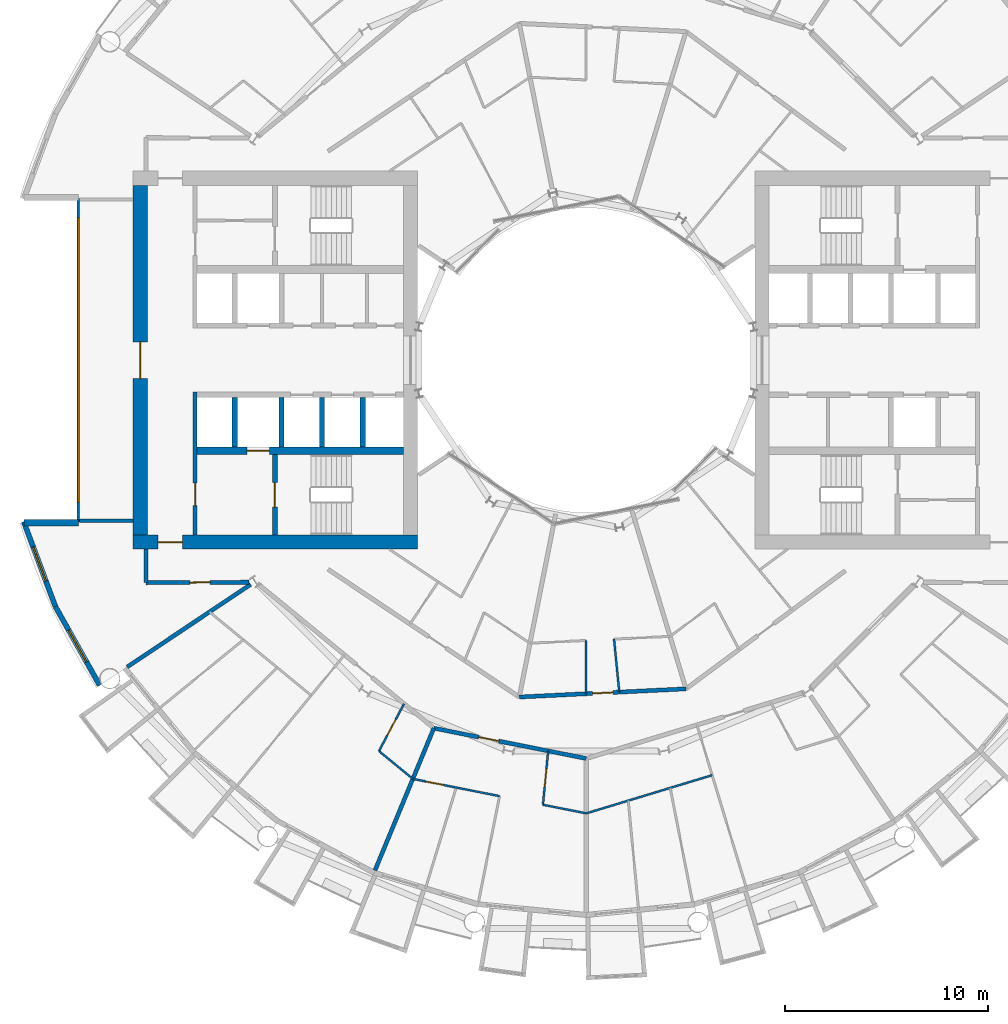
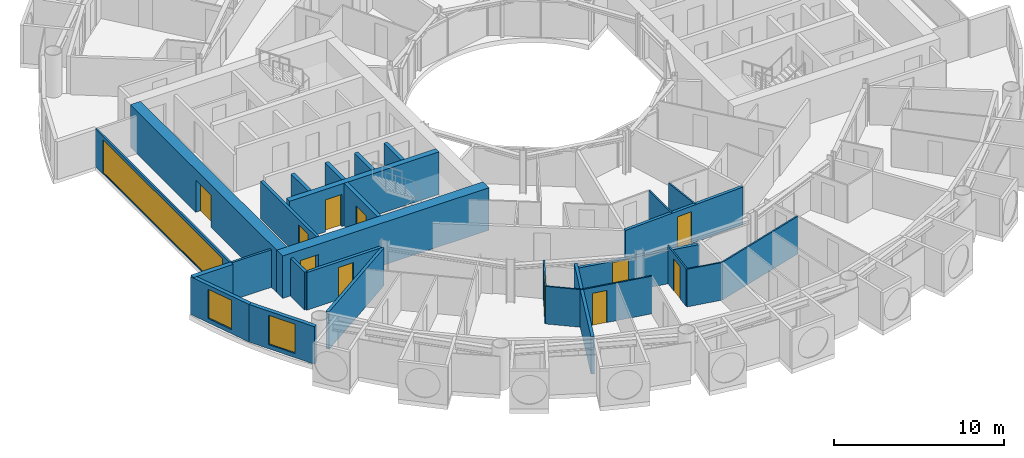
# One storey, part 14 of 26: 28 walls, 11 doors, 3 windows, 14 openings.
"""IFC4 building model written with IfcOpenShell, lengths in metres."""

import ifcopenshell
import ifcopenshell.guid

model = None  # the IFC model being written
_history = None  # IfcOwnerHistory: only IFC2X3 demands one
_inside = {}  # id of a spatial element -> (the spatial element, [elements in it])
_under = {}  # id of a project, library or spatial element -> (it, [spatial elements below it])
_declared = {}  # id of a project -> (the project, [libraries it declares])
_typed = {}  # id of a type object -> (the type object, [elements of that type])
_made_of = {}  # id of a material, layer set ... -> (it, [elements and type objects made of it])


def new_model(schema):
    """Start an empty IFC model of exactly this schema.

    Asked for "IFC4X3", IfcOpenShell would pick the latest addendum, in which some entities
    have other attributes; the version numbers below select the first issue.
    IFC2X3 requires an IfcOwnerHistory on every rooted entity: one is made here for all.
    """
    global model, _history
    if schema == "IFC4X3":
        model = ifcopenshell.file(schema_version=(4, 3, 0, 0))
    else:
        model = ifcopenshell.file(schema=schema)
    _inside.clear()
    _under.clear()
    _declared.clear()
    _typed.clear()
    _made_of.clear()
    _history = None
    if model.schema == "IFC2X3":
        org = make("IfcOrganization", Name="unknown")
        user = make(
            "IfcPersonAndOrganization",
            ThePerson=make("IfcPerson", FamilyName="unknown"),
            TheOrganization=org,
        )
        app = make(
            "IfcApplication",
            ApplicationDeveloper=org,
            Version="unknown",
            ApplicationFullName="unknown",
            ApplicationIdentifier="unknown",
        )
        _history = make(
            "IfcOwnerHistory",
            OwningUser=user,
            OwningApplication=app,
            ChangeAction="ADDED",
            CreationDate=0,
        )
    return model


def make(cls, **values):
    """One entity of the class cls with the attributes given. An attribute that is None is left unset."""
    return model.create_entity(
        cls, **{name: value for name, value in values.items() if value is not None}
    )


def rooted(cls, **values):
    """An entity with a GlobalId (a new one), such as an element, a storey or a relation."""
    return make(cls, GlobalId=ifcopenshell.guid.new(), OwnerHistory=_history, **values)


def si_unit(unit_type, name, prefix=None):
    """IfcSIUnit, for example si_unit("LENGTHUNIT", "METRE", prefix="MILLI")."""
    return make("IfcSIUnit", UnitType=unit_type, Prefix=prefix, Name=name)


def assignment(units):
    """IfcUnitAssignment: the units of a project."""
    return None if units is None else make("IfcUnitAssignment", Units=units)


def point(xyz):
    """IfcCartesianPoint."""
    return None if xyz is None else make("IfcCartesianPoint", Coordinates=xyz)


def direction(xyz):
    """IfcDirection."""
    return None if xyz is None else make("IfcDirection", DirectionRatios=xyz)


def frame(location, z_axis=None, x_axis=None):
    """IfcAxis2Placement3D, a coordinate frame: its origin and axes. An axis left out is left unset."""
    return make(
        "IfcAxis2Placement3D",
        Location=point(location),
        Axis=direction(z_axis),
        RefDirection=direction(x_axis),
    )


def frame_2d(location, x_axis=None):
    """IfcAxis2Placement2D, a coordinate frame in the plane: its origin and x axis."""
    return make(
        "IfcAxis2Placement2D", Location=point(location), RefDirection=direction(x_axis)
    )


def origin():
    """The frame at (0, 0, 0) with its axes left unset."""
    return frame((0.0, 0.0, 0.0))


def place(relative_to, where):
    """IfcLocalPlacement: puts the frame where relative to a parent placement (None: the world)."""
    return make(
        "IfcLocalPlacement", PlacementRelTo=relative_to, RelativePlacement=where
    )


def context(
    kind, dimensions, precision=None, world=None, true_north=None, identifier=None
):
    """IfcGeometricRepresentationContext, for example the 3D "Model" context."""
    return make(
        "IfcGeometricRepresentationContext",
        ContextIdentifier=identifier,
        ContextType=kind,
        CoordinateSpaceDimension=dimensions,
        Precision=precision,
        WorldCoordinateSystem=world,
        TrueNorth=true_north,
    )


def subcontext(parent, identifier, kind, view, scale=None):
    """IfcGeometricRepresentationSubContext, for example "Body" below "Model"."""
    return make(
        "IfcGeometricRepresentationSubContext",
        ContextIdentifier=identifier,
        ContextType=kind,
        ParentContext=parent,
        TargetScale=scale,
        TargetView=view,
    )


def project(units=None, contexts=None):
    """IfcProject with its units and contexts."""
    return rooted(
        "IfcProject",
        Name="project",
        RepresentationContexts=contexts,
        UnitsInContext=assignment(units),
    )


def spatial(cls, under=None, at=None, **own):
    """A site, building, storey or space (cls), placed at a placement, below another one or the project."""
    s = rooted(cls, ObjectPlacement=at, **own)
    if under is not None:
        _under.setdefault(under.id(), (under, []))[1].append(s)
    return s


def profile(cls, at=None, kind="AREA", **sizes):
    """A parametric profile (cls). Its sizes go by their IFC names, for example OverallWidth=200.0."""
    return make(cls, ProfileType=kind, Position=at, **sizes)


def rectangle(**sizes):
    """IfcRectangleProfileDef."""
    return profile("IfcRectangleProfileDef", **sizes)


def extrude(swept, where, along, depth):
    """IfcExtrudedAreaSolid: the profile swept, set in the frame where, extruded along a direction by depth."""
    return make(
        "IfcExtrudedAreaSolid",
        SweptArea=swept,
        Position=where,
        ExtrudedDirection=direction(along),
        Depth=depth,
    )


def shape(context_of_items, identifier, shape_type, items):
    """IfcShapeRepresentation: the items that make up one representation, for example the "Body"."""
    return make(
        "IfcShapeRepresentation",
        ContextOfItems=context_of_items,
        RepresentationIdentifier=identifier,
        RepresentationType=shape_type,
        Items=items,
    )


def material(Name=None, Category=None):
    """IfcMaterial."""
    return make("IfcMaterial", Name=Name, Category=Category)


def layer(
    of_material, thickness, ventilated=None, Name=None, Category=None, Priority=None
):
    """IfcMaterialLayer: one layer of a wall or slab, of a material (None: an air gap)."""
    return make(
        "IfcMaterialLayer",
        Material=of_material,
        LayerThickness=thickness,
        IsVentilated=ventilated,
        Name=Name,
        Category=Category,
        Priority=Priority,
    )


def layer_set(layers, Name=None):
    """IfcMaterialLayerSet."""
    return make("IfcMaterialLayerSet", MaterialLayers=layers, LayerSetName=Name)


def made_of(thing, what):
    """Note that an element or type object is made of a material, layer set ...; save() writes the relation."""
    if what is not None:
        _made_of.setdefault(what.id(), (what, []))[1].append(thing)
    return thing


def type_object(cls, material=None, **own):
    """A type object (cls), such as IfcWallType, which elements share."""
    return made_of(rooted(cls, **own), material)


def element(
    cls,
    number,
    at=None,
    inside=None,
    cuts=None,
    type_object=None,
    material=None,
    context=None,
    identifier="Body",
    shape_type=None,
    held_by="IfcProductDefinitionShape",
    body=None,
    shapes=None,
    **own,
):
    """One element of the class cls, such as IfcWall. Its Tag is "e" and its number.

    at: its placement. inside: the storey or other place that contains it. cuts: it is an
    opening in that element (IfcRelVoidsElement). A single representation is given by context,
    identifier, shape_type and body (its items); several are given by shapes. held_by: the class
    of the entity that holds the representations. save() writes the other relations.
    """
    e = rooted(cls, Tag="e%d" % number, ObjectPlacement=at, **own)
    if body is not None:
        shapes = [shape(context, identifier, shape_type, body)]
    if shapes is not None:
        e.Representation = make(held_by, Representations=shapes)
    if inside is not None:
        _inside.setdefault(inside.id(), (inside, []))[1].append(e)
    if cuts is not None:
        rooted(
            "IfcRelVoidsElement", RelatingBuildingElement=cuts, RelatedOpeningElement=e
        )
    if type_object is not None:
        _typed.setdefault(type_object.id(), (type_object, []))[1].append(e)
    return made_of(e, material)


def fill(opening, filler):
    """IfcRelFillsElement: the door or window that sits in an opening."""
    return rooted(
        "IfcRelFillsElement",
        RelatingOpeningElement=opening,
        RelatedBuildingElement=filler,
    )


def aggregate(whole, parts):
    """IfcRelAggregates: a whole, such as a stair, and the parts it consists of."""
    return rooted("IfcRelAggregates", RelatingObject=whole, RelatedObjects=parts)


def save(model, path):
    """Write the relations noted so far, then the file.

    IfcRelAggregates (storeys below a building ...), IfcRelContainedInSpatialStructure (elements
    in a storey), IfcRelDefinesByType, IfcRelAssociatesMaterial and IfcRelDeclares: one each for
    every whole, place, type object, material and project.
    """
    for whole, parts in _under.values():
        aggregate(whole, parts)
    for where, things in _inside.values():
        rooted(
            "IfcRelContainedInSpatialStructure",
            RelatedElements=things,
            RelatingStructure=where,
        )
    for kind, things in _typed.values():
        rooted("IfcRelDefinesByType", RelatedObjects=things, RelatingType=kind)
    for what, things in _made_of.values():
        rooted("IfcRelAssociatesMaterial", RelatedObjects=things, RelatingMaterial=what)
    for by, libraries in _declared.values():
        rooted("IfcRelDeclares", RelatingContext=by, RelatedDefinitions=libraries)
    model.write(path)


model = new_model("IFC4")

# Units and contexts
model_context = context("Model", 3, precision=1e-05, world=origin(), true_north=direction((0.0, 1.0)))
body_context = subcontext(model_context, "Body", "Model", "MODEL_VIEW")
ifc_project = project(units=[si_unit("LENGTHUNIT", "METRE"), si_unit("AREAUNIT", "SQUARE_METRE"), si_unit("VOLUMEUNIT", "CUBIC_METRE"), si_unit("PLANEANGLEUNIT", "RADIAN"), si_unit("MASSUNIT", "GRAM", prefix="KILO")], contexts=[model_context])

# Site, building, storey
site_placement = place(None, origin())
site = spatial("IfcSite", under=ifc_project, at=site_placement, CompositionType="ELEMENT")
building_placement = place(site_placement, origin())
building = spatial("IfcBuilding", under=site, at=building_placement, Name="Maasbend Ring Residences", CompositionType="ELEMENT")
storey_placement = place(building_placement, frame((0.0, 0.0, 91.050048828125)))
storey = spatial("IfcBuildingStorey", under=building, at=storey_placement, Name="L26", CompositionType="ELEMENT", Elevation=91.050048828125)

# Wall, opening, door
ifc_material_1 = material(Name="Concrete C70/85", Category="concrete")
ifc_layer_1 = layer(ifc_material_1, 0.25)
ifc_layer_set_1 = layer_set([ifc_layer_1], Name="Concrete C70/85")
wall_type_1 = type_object("IfcWallType", Name="CORE WALL 250 C70/85", PredefinedType="SHEAR", material=ifc_layer_set_1)
wall_1_placement = place(storey_placement, frame((-15.324951171875, -4.64990234375, 0.0), z_axis=(0.0, 0.0, 1.0), x_axis=(0.0, -1.0, 0.0)))
wall_1 = element("IfcWall", 1, at=wall_1_placement, inside=storey, type_object=wall_type_1, Name="L26 core W wall STEN", PredefinedType="SHEAR", context=body_context, shape_type="SweptSolid", body=[
    extrude(rectangle(XDim=3.9501953125, YDim=0.25, at=frame_2d((1.97509765625, 0.0))), origin(), (0.0, 0.0, 1.0), 3.050048828125),
])
opening_1_placement = place(wall_1_placement, frame((1.375, 0.0, 0.0)))
opening_1 = element("IfcOpeningElement", 2, at=opening_1_placement, cuts=wall_1, Name="Opening D-W2610", PredefinedType="OPENING", context=body_context, shape_type="SweptSolid", body=[
    extrude(rectangle(XDim=1.199951171875, YDim=2.300048828125, at=frame_2d((0.60009765625, 1.14990234375))), frame((0.0, 0.135009765625, 0.0), z_axis=(0.0, -1.0, 0.0), x_axis=(1.0, 0.0, 0.0)), (0.0, 0.0, 1.0), 0.27001953125),
])
ifc_material_2 = material(Name="Steel, powder coated", Category="steel")
door_type_1 = type_object("IfcDoorType", Name="STAIR DOOR 1200 X 2300 FD60", OperationType="NOTDEFINED", PredefinedType="DOOR", material=ifc_material_2)
door_1_placement = place(opening_1_placement, origin())
door_1 = element("IfcDoor", 3, at=door_1_placement, inside=storey, type_object=door_type_1, Name="Stair door ST-W L26", OperationType="SINGLE_SWING_LEFT", OverallHeight=2.300048828125, OverallWidth=1.199951171875, PredefinedType="DOOR", context=body_context, shape_type="SweptSolid", body=[
    extrude(rectangle(XDim=1.199951171875, YDim=2.300048828125, at=frame_2d((0.60009765625, 1.14990234375))), frame((0.0, 0.02490234375, 0.0), z_axis=(0.0, -1.0, 0.0), x_axis=(1.0, 0.0, 0.0)), (0.0, 0.0, 1.0), 0.050048828125),
])
fill(opening_1, door_1)

ifc_material_3 = material(Name="Concrete C70/85", Category="concrete")
ifc_layer_2 = layer(ifc_material_3, 0.375)
ifc_layer_set_2 = layer_set([ifc_layer_2], Name="Concrete C70/85")
wall_type_2 = type_object("IfcWallType", Name="CORE WALL 375 C70/85", PredefinedType="SHEAR", material=ifc_layer_set_2)
wall_2_placement = place(storey_placement, frame((-9.0, -4.46240234375, 0.0), z_axis=(0.0, 0.0, 1.0), x_axis=(-1.0, 0.0, 0.0)))
wall_2 = element("IfcWall", 4, at=wall_2_placement, inside=storey, type_object=wall_type_2, Name="L26 core W wall BN", PredefinedType="SHEAR", context=body_context, shape_type="SweptSolid", body=[
    extrude(rectangle(XDim=10.14990234375, YDim=0.375, at=frame_2d((5.074951171875, 0.0))), origin(), (0.0, 0.0, 1.0), 3.050048828125),
])
opening_2_placement = place(wall_2_placement, frame((6.60009765625, 0.0, 0.0)))
opening_2 = element("IfcOpeningElement", 5, at=opening_2_placement, cuts=wall_2, Name="Opening LD-W2604", PredefinedType="OPENING", context=body_context, shape_type="SweptSolid", body=[
    extrude(rectangle(XDim=1.10009765625, YDim=2.300048828125, at=frame_2d((0.550048828125, 1.14990234375))), frame((0.0, 0.197509765625, 0.0), z_axis=(0.0, -1.0, 0.0), x_axis=(1.0, 0.0, 0.0)), (0.0, 0.0, 1.0), 0.39501953125),
])
ifc_material_4 = material(Name="Stainless steel 316", Category="steel")
door_type_2 = type_object("IfcDoorType", Name="LANDING DOOR 1100 X 2300 FD60", OperationType="DOUBLE_DOOR_SLIDING", PredefinedType="DOOR", material=ifc_material_4)
door_2_placement = place(opening_2_placement, origin())
door_2 = element("IfcDoor", 6, at=door_2_placement, inside=storey, type_object=door_type_2, Name="Landing door FF-W L26", OperationType="DOUBLE_DOOR_SLIDING", OverallHeight=2.300048828125, OverallWidth=1.10009765625, PredefinedType="DOOR", context=body_context, shape_type="SweptSolid", body=[
    extrude(rectangle(XDim=1.10009765625, YDim=2.300048828125, at=frame_2d((0.550048828125, 1.14990234375))), frame((0.0, 0.02490234375, 0.0), z_axis=(0.0, -1.0, 0.0), x_axis=(1.0, 0.0, 0.0)), (0.0, 0.0, 1.0), 0.050048828125),
])
fill(opening_2, door_2)

ifc_material_5 = material(Name="Concrete C70/85", Category="concrete")
ifc_layer_3 = layer(ifc_material_5, 0.699951171875)
ifc_layer_set_3 = layer_set([ifc_layer_3], Name="Concrete C70/85")
wall_type_3 = type_object("IfcWallType", Name="CORE WALL 700 C70/85", PredefinedType="SHEAR", material=ifc_layer_set_3)
wall_3_placement = place(storey_placement, frame((-22.300048828125, -8.949951171875, 0.0), z_axis=(0.0, 0.0, 1.0), x_axis=(1.0, 0.0, 0.0)))
wall_3 = element("IfcWall", 7, at=wall_3_placement, inside=storey, type_object=wall_type_3, Name="L26 core W wall PN", PredefinedType="SHEAR", context=body_context, shape_type="SweptSolid", body=[
    extrude(rectangle(XDim=14.0, YDim=0.699951171875, at=frame_2d((7.0, 0.0))), origin(), (0.0, 0.0, 1.0), 3.050048828125),
])
opening_3_placement = place(wall_3_placement, frame((1.22509765625, 0.0, 0.0)))
opening_3 = element("IfcOpeningElement", 8, at=opening_3_placement, cuts=wall_3, Name="Opening D-W2614", PredefinedType="OPENING", context=body_context, shape_type="SweptSolid", body=[
    extrude(rectangle(XDim=1.199951171875, YDim=2.300048828125, at=frame_2d((0.60009765625, 1.14990234375))), frame((0.0, 0.35986328125, 0.0), z_axis=(0.0, -1.0, 0.0), x_axis=(1.0, 0.0, 0.0)), (0.0, 0.0, 1.0), 0.719970703125),
])
ifc_material_6 = material(Name="Steel, powder coated", Category="steel")
door_type_3 = type_object("IfcDoorType", Name="CORRIDOR DOOR 1200 X 2300 FD30S", OperationType="NOTDEFINED", PredefinedType="DOOR", material=ifc_material_6)
door_3_placement = place(opening_3_placement, origin())
door_3 = element("IfcDoor", 9, at=door_3_placement, inside=storey, type_object=door_type_3, Name="Corridor door L26", OperationType="SINGLE_SWING_RIGHT", OverallHeight=2.300048828125, OverallWidth=1.199951171875, PredefinedType="DOOR", context=body_context, shape_type="SweptSolid", body=[
    extrude(rectangle(XDim=1.199951171875, YDim=2.300048828125, at=frame_2d((0.60009765625, 1.14990234375))), frame((0.0, 0.02490234375, 0.0), z_axis=(0.0, -1.0, 0.0), x_axis=(1.0, 0.0, 0.0)), (0.0, 0.0, 1.0), 0.050048828125),
])
fill(opening_3, door_3)

wall_4_placement = place(storey_placement, frame((-21.949951171875, -8.60009765625, 0.0), z_axis=(0.0, 0.0, 1.0), x_axis=(0.0, 1.0, 0.0)))
wall_4 = element("IfcWall", 10, at=wall_4_placement, inside=storey, type_object=wall_type_3, Name="L26 core W wall POUT", PredefinedType="SHEAR", context=body_context, shape_type="SweptSolid", body=[
    extrude(rectangle(XDim=17.2001953125, YDim=0.699951171875, at=frame_2d((8.60009765625, 0.0))), origin(), (0.0, 0.0, 1.0), 3.050048828125),
])
opening_4_placement = place(wall_4_placement, frame((7.699951171875, 0.0, 0.0)))
opening_4 = element("IfcOpeningElement", 11, at=opening_4_placement, cuts=wall_4, Name="Opening D-W2616", PredefinedType="OPENING", context=body_context, shape_type="SweptSolid", body=[
    extrude(rectangle(XDim=1.800048828125, YDim=2.300048828125, at=frame_2d((0.89990234375, 1.14990234375))), frame((0.0, 0.35986328125, 0.0), z_axis=(0.0, -1.0, 0.0), x_axis=(1.0, 0.0, 0.0)), (0.0, 0.0, 1.0), 0.719970703125),
])
ifc_material_7 = material(Name="Aluminium frame, clear glass", Category="aluminium")
door_type_4 = type_object("IfcDoorType", Name="ENTRANCE DOOR 1800 X 2300 FD60", OperationType="NOTDEFINED", PredefinedType="DOOR", material=ifc_material_7)
door_4_placement = place(opening_4_placement, origin())
door_4 = element("IfcDoor", 12, at=door_4_placement, inside=storey, type_object=door_type_4, Name="Lobby glazed door L26", OperationType="SINGLE_SWING_LEFT", OverallHeight=2.300048828125, OverallWidth=1.800048828125, PredefinedType="DOOR", context=body_context, shape_type="SweptSolid", body=[
    extrude(rectangle(XDim=1.800048828125, YDim=2.300048828125, at=frame_2d((0.89990234375, 1.14990234375))), frame((0.0, 0.02490234375, 0.0), z_axis=(0.0, -1.0, 0.0), x_axis=(1.0, 0.0, 0.0)), (0.0, 0.0, 1.0), 0.050048828125),
])
fill(opening_4, door_4)

ifc_material_8 = material(Name="Concrete C30/37", Category="concrete")
ifc_layer_4 = layer(ifc_material_8, 0.199951171875)
ifc_layer_set_4 = layer_set([ifc_layer_4], Name="Concrete C30/37")
wall_type_4 = type_object("IfcWallType", Name="CORRIDOR WALL 200 CONCRETE", PredefinedType="PARTITIONING", material=ifc_layer_set_4)
wall_5_placement = place(storey_placement, frame((-7.5009765625, -18.10791015625, 0.0), z_axis=(0.0, 0.0, 1.0), x_axis=(0.980781515054, -0.195109250749, 0.0)))
wall_5 = element("IfcWall", 13, at=wall_5_placement, inside=storey, type_object=wall_type_4, Name="U-L26-w011", PredefinedType="PARTITIONING", context=body_context, shape_type="SweptSolid", body=[
    extrude(rectangle(XDim=7.64794921875, YDim=0.199951171875, at=frame_2d((3.823974609375, 0.0))), origin(), (0.0, 0.0, 1.0), 2.3798828125),
])
opening_5_placement = place(wall_5_placement, frame((2.25, 0.0, 0.0)))
opening_5 = element("IfcOpeningElement", 14, at=opening_5_placement, cuts=wall_5, Name="Opening D-2638", PredefinedType="OPENING", context=body_context, shape_type="SweptSolid", body=[
    extrude(rectangle(XDim=1.0, YDim=2.300048828125, at=frame_2d((0.5, 1.14990234375))), frame((0.0, 0.10986328125, 0.0), z_axis=(0.0, -1.0, 0.0), x_axis=(1.0, 0.0, 0.0)), (0.0, 0.0, 1.0), 0.219970703125),
])
ifc_material_9 = material(Name="Timber, fire-rated, painted", Category="wood")
door_type_5 = type_object("IfcDoorType", Name="FLAT ENTRANCE DOOR 1000 X 2300 FIRE-RATED", OperationType="NOTDEFINED", PredefinedType="DOOR", material=ifc_material_9)
door_5_placement = place(opening_5_placement, origin())
door_5 = element("IfcDoor", 15, at=door_5_placement, inside=storey, type_object=door_type_5, Name="D-2638", OperationType="SINGLE_SWING_LEFT", OverallHeight=2.300048828125, OverallWidth=1.0, PredefinedType="DOOR", context=body_context, shape_type="SweptSolid", body=[
    extrude(rectangle(XDim=1.0, YDim=2.300048828125, at=frame_2d((0.5, 1.14990234375))), frame((0.0, 0.02490234375, 0.0), z_axis=(0.0, -1.0, 0.0), x_axis=(1.0, 0.0, 0.0)), (0.0, 0.0, 1.0), 0.050048828125),
])
fill(opening_5, door_5)

wall_6_placement = place(storey_placement, frame((-3.297119140625, -16.574951171875, 0.0), z_axis=(0.0, 0.0, 1.0), x_axis=(0.998796706656, 0.0490422142, 0.0)))
wall_6 = element("IfcWall", 16, at=wall_6_placement, inside=storey, type_object=wall_type_4, Name="U-L26-w015", PredefinedType="PARTITIONING", context=body_context, shape_type="SweptSolid", body=[
    extrude(rectangle(XDim=8.2138671875, YDim=0.199951171875, at=frame_2d((4.10693359375, 0.0))), origin(), (0.0, 0.0, 1.0), 2.699951171875),
])
opening_6_placement = place(wall_6_placement, frame((3.614013671875, 0.0, 0.0)))
opening_6 = element("IfcOpeningElement", 17, at=opening_6_placement, cuts=wall_6, Name="Opening D-2656", PredefinedType="OPENING", context=body_context, shape_type="SweptSolid", body=[
    extrude(rectangle(XDim=1.0, YDim=2.300048828125, at=frame_2d((0.5, 1.14990234375))), frame((0.0, 0.10986328125, 0.0), z_axis=(0.0, -1.0, 0.0), x_axis=(1.0, 0.0, 0.0)), (0.0, 0.0, 1.0), 0.219970703125),
])
door_6_placement = place(opening_6_placement, origin())
door_6 = element("IfcDoor", 18, at=door_6_placement, inside=storey, type_object=door_type_5, Name="D-2656", OperationType="SINGLE_SWING_RIGHT", OverallHeight=2.300048828125, OverallWidth=1.0, PredefinedType="DOOR", context=body_context, shape_type="SweptSolid", body=[
    extrude(rectangle(XDim=1.0, YDim=2.300048828125, at=frame_2d((0.5, 1.14990234375))), frame((0.0, 0.02490234375, 0.0), z_axis=(0.0, -1.0, 0.0), x_axis=(1.0, 0.0, 0.0)), (0.0, 0.0, 1.0), 0.050048828125),
])
fill(opening_6, door_6)

wall_7_placement = place(storey_placement, frame((-21.675048828125, -10.949951171875, 0.0), z_axis=(0.0, 0.0, 1.0), x_axis=(0.999988944514, 0.004702217579, 0.0)))
wall_7 = element("IfcWall", 19, at=wall_7_placement, inside=storey, type_object=wall_type_4, Name="U-L26-w024", PredefinedType="PARTITIONING", context=body_context, shape_type="SweptSolid", body=[
    extrude(rectangle(XDim=5.088134765625, YDim=0.199951171875, at=frame_2d((2.5439453125, 0.0))), origin(), (0.0, 0.0, 1.0), 2.699951171875),
])
opening_7_placement = place(wall_7_placement, frame((2.162109375, 0.0, 0.0)))
opening_7 = element("IfcOpeningElement", 20, at=opening_7_placement, cuts=wall_7, Name="Opening D-2663", PredefinedType="OPENING", context=body_context, shape_type="SweptSolid", body=[
    extrude(rectangle(XDim=1.0, YDim=2.300048828125, at=frame_2d((0.5, 1.14990234375))), frame((0.0, 0.10986328125, 0.0), z_axis=(0.0, -1.0, 0.0), x_axis=(1.0, 0.0, 0.0)), (0.0, 0.0, 1.0), 0.219970703125),
])
ifc_material_10 = material(Name="Timber, painted", Category="wood")
door_type_6 = type_object("IfcDoorType", Name="ROOM DOOR 1000 X 2300", OperationType="NOTDEFINED", PredefinedType="DOOR", material=ifc_material_10)
door_7_placement = place(opening_7_placement, origin())
door_7 = element("IfcDoor", 21, at=door_7_placement, inside=storey, type_object=door_type_6, Name="D-2663", OperationType="SINGLE_SWING_RIGHT", OverallHeight=2.300048828125, OverallWidth=1.0, PredefinedType="DOOR", context=body_context, shape_type="SweptSolid", body=[
    extrude(rectangle(XDim=1.0, YDim=2.300048828125, at=frame_2d((0.5, 1.14990234375))), frame((0.0, 0.02490234375, 0.0), z_axis=(0.0, -1.0, 0.0), x_axis=(1.0, 0.0, 0.0)), (0.0, 0.0, 1.0), 0.050048828125),
])
fill(opening_7, door_7)

# Wall
wall_8_placement = place(storey_placement, frame((-21.675048828125, -10.949951171875, 0.0), z_axis=(0.0, 0.0, 1.0), x_axis=(0.0, 1.0, 0.0)))
element("IfcWall", 22, at=wall_8_placement, inside=storey, type_object=wall_type_4, Name="U-L26-w106", PredefinedType="PARTITIONING", context=body_context, shape_type="SweptSolid", body=[
    extrude(rectangle(XDim=1.64990234375, YDim=0.199951171875, at=frame_2d((0.824951171875, 0.0))), origin(), (0.0, 0.0, 1.0), 2.699951171875),
])

# Wall, opening, window
ifc_material_11 = material(Name="Aluminium clad insulated panel", Category="aluminium")
ifc_layer_5 = layer(ifc_material_11, 0.25)
ifc_layer_set_5 = layer_set([ifc_layer_5], Name="EW-HORN")
wall_type_5 = type_object("IfcWallType", Name="EW-HORN", PredefinedType="SOLIDWALL", material=ifc_layer_set_5)
wall_9_placement = place(storey_placement, frame((-27.681884765625, -7.945068359375, 0.0), z_axis=(0.0, 0.0, 1.0), x_axis=(0.349247811493, -0.937030397675, 0.0)))
wall_9 = element("IfcWall", 23, at=wall_9_placement, inside=storey, type_object=wall_type_5, Name="Horn wall 3.1", PredefinedType="SOLIDWALL", context=body_context, shape_type="SweptSolid", body=[
    extrude(rectangle(XDim=4.4521484375, YDim=0.25, at=frame_2d((2.22607421875, 0.0))), origin(), (0.0, 0.0, 1.0), 2.699951171875),
])
opening_8_placement = place(wall_9_placement, frame((1.32666015625, 0.0, 0.300048828125)))
opening_8 = element("IfcOpeningElement", 24, at=opening_8_placement, cuts=wall_9, Name="Opening W-BX", PredefinedType="OPENING", context=body_context, shape_type="SweptSolid", body=[
    extrude(rectangle(XDim=1.800048828125, YDim=2.10009765625, at=frame_2d((0.89990234375, 1.050048828125))), frame((0.0, 0.135009765625, 0.0), z_axis=(0.0, -1.0, 0.0), x_axis=(1.0, 0.0, 0.0)), (0.0, 0.0, 1.0), 0.27001953125),
])
ifc_material_12 = material(Name="Aluminium and clear glass", Category="aluminium")
window_type_1 = type_object("IfcWindowType", Name="W-BX", PartitioningType="DOUBLE_PANEL_VERTICAL", PredefinedType="WINDOW", material=ifc_material_12)
window_1_placement = place(opening_8_placement, origin())
window_1 = element("IfcWindow", 25, at=window_1_placement, inside=storey, type_object=window_type_1, Name="Horn window 3.1", OverallHeight=2.10009765625, OverallWidth=1.800048828125, PartitioningType="SINGLE_PANEL", PredefinedType="WINDOW", context=body_context, shape_type="SweptSolid", body=[
    extrude(rectangle(XDim=1.800048828125, YDim=2.10009765625, at=frame_2d((0.89990234375, 1.050048828125))), frame((0.0, 0.030029296875, 0.0), z_axis=(0.0, -1.0, 0.0), x_axis=(1.0, 0.0, 0.0)), (0.0, 0.0, 1.0), 0.06005859375),
])
fill(opening_8, window_1)

wall_10_placement = place(storey_placement, frame((-26.126953125, -12.116943359375, 0.0), z_axis=(0.0, 0.0, 1.0), x_axis=(0.489696356642, -0.871893042919, 0.0)))
wall_10 = element("IfcWall", 26, at=wall_10_placement, inside=storey, type_object=wall_type_5, Name="Horn wall 3.2", PredefinedType="SOLIDWALL", context=body_context, shape_type="SweptSolid", body=[
    extrude(rectangle(XDim=4.45361328125, YDim=0.25, at=frame_2d((2.226806640625, 0.0))), origin(), (0.0, 0.0, 1.0), 2.699951171875),
])
opening_9_placement = place(wall_10_placement, frame((1.32666015625, 0.0, 0.300048828125)))
opening_9 = element("IfcOpeningElement", 27, at=opening_9_placement, cuts=wall_10, Name="Opening W-BX", PredefinedType="OPENING", context=body_context, shape_type="SweptSolid", body=[
    extrude(rectangle(XDim=1.800048828125, YDim=2.10009765625, at=frame_2d((0.89990234375, 1.050048828125))), frame((0.0, 0.135009765625, 0.0), z_axis=(0.0, -1.0, 0.0), x_axis=(1.0, 0.0, 0.0)), (0.0, 0.0, 1.0), 0.27001953125),
])
window_2_placement = place(opening_9_placement, origin())
window_2 = element("IfcWindow", 28, at=window_2_placement, inside=storey, type_object=window_type_1, Name="Horn window 3.2", OverallHeight=2.10009765625, OverallWidth=1.800048828125, PartitioningType="SINGLE_PANEL", PredefinedType="WINDOW", context=body_context, shape_type="SweptSolid", body=[
    extrude(rectangle(XDim=1.800048828125, YDim=2.10009765625, at=frame_2d((0.89990234375, 1.050048828125))), frame((0.0, 0.030029296875, 0.0), z_axis=(0.0, -1.0, 0.0), x_axis=(1.0, 0.0, 0.0)), (0.0, 0.0, 1.0), 0.06005859375),
])
fill(opening_9, window_2)

# Wall
ifc_material_13 = material(Name="Aluminium clad insulated panel", Category="aluminium")
ifc_layer_6 = layer(ifc_material_13, 0.300048828125)
ifc_layer_set_6 = layer_set([ifc_layer_6], Name="EW-RET")
wall_type_6 = type_object("IfcWallType", Name="EW-RET", PredefinedType="SOLIDWALL", material=ifc_layer_set_6)
wall_11_placement = place(storey_placement, frame((-25.0, -8.0, 0.0), z_axis=(0.0, 0.0, 1.0), x_axis=(-1.0, 0.0, 0.0)))
element("IfcWall", 29, at=wall_11_placement, inside=storey, type_object=wall_type_6, Name="Notch return wall west south", PredefinedType="SOLIDWALL", context=body_context, shape_type="SweptSolid", body=[
    extrude(rectangle(XDim=2.6669921875, YDim=0.300048828125, at=frame_2d((1.33349609375, 0.0))), origin(), (0.0, 0.0, 1.0), 2.699951171875),
])

# Wall, opening, window
ifc_material_14 = material(Name="Aluminium frame and clear glass", Category="aluminium")
ifc_layer_7 = layer(ifc_material_14, 0.1201171875)
ifc_layer_set_7 = layer_set([ifc_layer_7], Name="GLAZED SCREEN WALL 120 EI 60")
wall_type_7 = type_object("IfcWallType", Name="GLAZED SCREEN WALL 120 EI 60", PredefinedType="PARTITIONING", material=ifc_layer_set_7)
wall_12_placement = place(storey_placement, frame((-25.0, 7.949951171875, 0.0), z_axis=(0.0, 0.0, 1.0), x_axis=(0.0, -1.0, 0.0)))
wall_12 = element("IfcWall", 30, at=wall_12_placement, inside=storey, type_object=wall_type_7, Name="L26 core W wall FACE", PredefinedType="PARTITIONING", context=body_context, shape_type="SweptSolid", body=[
    extrude(rectangle(XDim=15.89990234375, YDim=0.1201171875, at=frame_2d((7.949951171875, 0.0))), origin(), (0.0, 0.0, 1.0), 2.699951171875),
])
opening_10_placement = place(wall_12_placement, frame((0.949951171875, 0.0, 0.10009765625)))
opening_10 = element("IfcOpeningElement", 31, at=opening_10_placement, cuts=wall_12, Name="Opening W-W2602", PredefinedType="OPENING", context=body_context, shape_type="SweptSolid", body=[
    extrude(rectangle(XDim=14.0, YDim=2.35009765625, at=frame_2d((7.0, 1.175048828125))), frame((0.0, 0.070068359375, 0.0), z_axis=(0.0, -1.0, 0.0), x_axis=(1.0, 0.0, 0.0)), (0.0, 0.0, 1.0), 0.14013671875),
])
ifc_material_15 = material(Name="Aluminium frame and clear glass", Category="aluminium")
window_type_2 = type_object("IfcWindowType", Name="FIXED WINDOW 14000 X 2350", PartitioningType="SINGLE_PANEL", PredefinedType="WINDOW", material=ifc_material_15)
window_3_placement = place(opening_10_placement, origin())
window_3 = element("IfcWindow", 32, at=window_3_placement, inside=storey, type_object=window_type_2, Name="Lobby window L26", OverallHeight=2.35009765625, OverallWidth=14.0, PartitioningType="SINGLE_PANEL", PredefinedType="WINDOW", context=body_context, shape_type="SweptSolid", body=[
    extrude(rectangle(XDim=14.0, YDim=2.35009765625, at=frame_2d((7.0, 1.175048828125))), frame((0.0, 0.030029296875, 0.0), z_axis=(0.0, -1.0, 0.0), x_axis=(1.0, 0.0, 0.0)), (0.0, 0.0, 1.0), 0.06005859375),
])
fill(opening_10, window_3)

# Wall, opening, door
ifc_material_16 = material(Name="Gypsum board on steel studs", Category="steel")
ifc_layer_8 = layer(ifc_material_16, 0.10009765625)
ifc_layer_set_8 = layer_set([ifc_layer_8], Name="PARTITION 100 GYPSUM")
wall_type_8 = type_object("IfcWallType", Name="PARTITION 100 GYPSUM", PredefinedType="PARTITIONING", material=ifc_layer_set_8)
wall_13_placement = place(storey_placement, frame((-8.535888671875, -20.60302734375, 0.0), z_axis=(0.0, 0.0, 1.0), x_axis=(0.980795826794, -0.195037294239, 0.0)))
wall_13 = element("IfcWall", 33, at=wall_13_placement, inside=storey, type_object=wall_type_8, Name="U-L26-w001", PredefinedType="PARTITIONING", context=body_context, shape_type="SweptSolid", body=[
    extrude(rectangle(XDim=4.352294921875, YDim=0.10009765625, at=frame_2d((2.17626953125, 0.0))), origin(), (0.0, 0.0, 1.0), 2.699951171875),
])
opening_11_placement = place(wall_13_placement, frame((0.638916015625, 0.0, 0.0)))
opening_11 = element("IfcOpeningElement", 34, at=opening_11_placement, cuts=wall_13, Name="Opening D-2641", PredefinedType="OPENING", context=body_context, shape_type="SweptSolid", body=[
    extrude(rectangle(XDim=0.89990234375, YDim=2.300048828125, at=frame_2d((0.449951171875, 1.14990234375))), frame((0.0, 0.06005859375, 0.0), z_axis=(0.0, -1.0, 0.0), x_axis=(1.0, 0.0, 0.0)), (0.0, 0.0, 1.0), 0.1201171875),
])
ifc_material_17 = material(Name="Timber, painted", Category="wood")
door_type_7 = type_object("IfcDoorType", Name="INTERNAL DOOR 900 X 2300", OperationType="NOTDEFINED", PredefinedType="DOOR", material=ifc_material_17)
door_8_placement = place(opening_11_placement, origin())
door_8 = element("IfcDoor", 35, at=door_8_placement, inside=storey, type_object=door_type_7, Name="D-2641", OperationType="SINGLE_SWING_LEFT", OverallHeight=2.300048828125, OverallWidth=0.89990234375, PredefinedType="DOOR", context=body_context, shape_type="SweptSolid", body=[
    extrude(rectangle(XDim=0.89990234375, YDim=2.300048828125, at=frame_2d((0.449951171875, 1.14990234375))), frame((0.0, 0.02490234375, 0.0), z_axis=(0.0, -1.0, 0.0), x_axis=(1.0, 0.0, 0.0)), (0.0, 0.0, 1.0), 0.050048828125),
])
fill(opening_11, door_8)

# Walls
wall_14_placement = place(storey_placement, frame((-2.133056640625, -21.8759765625, 0.0), z_axis=(0.0, 0.0, 1.0), x_axis=(0.980804550577, -0.194993419292, 0.0)))
element("IfcWall", 36, at=wall_14_placement, inside=storey, type_object=wall_type_8, Name="U-L26-w002", PredefinedType="PARTITIONING", context=body_context, shape_type="SweptSolid", body=[
    extrude(rectangle(XDim=2.1748046875, YDim=0.10009765625, at=frame_2d((1.08740234375, 0.0))), origin(), (0.0, 0.0, 1.0), 2.699951171875),
])
wall_15_placement = place(storey_placement, frame((-10.201904296875, -19.23388671875, 0.0), z_axis=(0.0, 0.0, 1.0), x_axis=(0.772948171844, -0.634469166818, 0.0)))
element("IfcWall", 37, at=wall_15_placement, inside=storey, type_object=wall_type_8, Name="U-L26-w008", PredefinedType="PARTITIONING", context=body_context, shape_type="SweptSolid", body=[
    extrude(rectangle(XDim=2.157958984375, YDim=0.10009765625, at=frame_2d((1.0791015625, 0.0))), origin(), (0.0, 0.0, 1.0), 2.699951171875),
])
wall_16_placement = place(storey_placement, frame((0.0, -22.300048828125, 0.0), z_axis=(0.0, 0.0, 1.0), x_axis=(0.956940987612, 0.290282528286, 0.0)))
element("IfcWall", 38, at=wall_16_placement, inside=storey, type_object=wall_type_8, Name="U-L26-w009", PredefinedType="PARTITIONING", context=body_context, shape_type="SweptSolid", body=[
    extrude(rectangle(XDim=6.476806640625, YDim=0.10009765625, at=frame_2d((3.23828125, 0.0))), origin(), (0.0, 0.0, 1.0), 2.699951171875),
])

# Wall, opening, door
wall_17_placement = place(storey_placement, frame((-10.201904296875, -19.23388671875, 0.0), z_axis=(0.0, 0.0, 1.0), x_axis=(0.468462103808, 0.883483591979, 0.0)))
wall_17 = element("IfcWall", 39, at=wall_17_placement, inside=storey, type_object=wall_type_8, Name="U-L26-w039", PredefinedType="PARTITIONING", context=body_context, shape_type="SweptSolid", body=[
    extrude(rectangle(XDim=2.635986328125, YDim=0.10009765625, at=frame_2d((1.31787109375, 0.0))), origin(), (0.0, 0.0, 1.0), 2.699951171875),
])
opening_12_placement = place(wall_17_placement, frame((0.867919921875, 0.0, 0.0)))
opening_12 = element("IfcOpeningElement", 40, at=opening_12_placement, cuts=wall_17, Name="Opening D-2633", PredefinedType="OPENING", context=body_context, shape_type="SweptSolid", body=[
    extrude(rectangle(XDim=0.89990234375, YDim=2.300048828125, at=frame_2d((0.449951171875, 1.14990234375))), frame((0.0, 0.06005859375, 0.0), z_axis=(0.0, -1.0, 0.0), x_axis=(1.0, 0.0, 0.0)), (0.0, 0.0, 1.0), 0.1201171875),
])
door_9_placement = place(opening_12_placement, origin())
door_9 = element("IfcDoor", 41, at=door_9_placement, inside=storey, type_object=door_type_7, Name="D-2633", OperationType="SINGLE_SWING_RIGHT", OverallHeight=2.300048828125, OverallWidth=0.89990234375, PredefinedType="DOOR", context=body_context, shape_type="SweptSolid", body=[
    extrude(rectangle(XDim=0.89990234375, YDim=2.300048828125, at=frame_2d((0.449951171875, 1.14990234375))), frame((0.0, 0.02490234375, 0.0), z_axis=(0.0, -1.0, 0.0), x_axis=(1.0, 0.0, 0.0)), (0.0, 0.0, 1.0), 0.050048828125),
])
fill(opening_12, door_9)

wall_18_placement = place(storey_placement, frame((-2.133056640625, -21.8759765625, 0.0), z_axis=(0.0, 0.0, 1.0), x_axis=(0.096960338807, 0.995288246036, 0.0)))
wall_18 = element("IfcWall", 42, at=wall_18_placement, inside=storey, type_object=wall_type_8, Name="U-L26-w053", PredefinedType="PARTITIONING", context=body_context, shape_type="SweptSolid", body=[
    extrude(rectangle(XDim=2.661376953125, YDim=0.10009765625, at=frame_2d((1.33056640625, 0.0))), origin(), (0.0, 0.0, 1.0), 2.699951171875),
])
opening_13_placement = place(wall_18_placement, frame((0.881103515625, 0.0, 0.0)))
opening_13 = element("IfcOpeningElement", 43, at=opening_13_placement, cuts=wall_18, Name="Opening D-2639", PredefinedType="OPENING", context=body_context, shape_type="SweptSolid", body=[
    extrude(rectangle(XDim=0.89990234375, YDim=2.300048828125, at=frame_2d((0.449951171875, 1.14990234375))), frame((0.0, 0.06005859375, 0.0), z_axis=(0.0, -1.0, 0.0), x_axis=(1.0, 0.0, 0.0)), (0.0, 0.0, 1.0), 0.1201171875),
])
door_10_placement = place(opening_13_placement, origin())
door_10 = element("IfcDoor", 44, at=door_10_placement, inside=storey, type_object=door_type_7, Name="D-2639", OperationType="SINGLE_SWING_LEFT", OverallHeight=2.300048828125, OverallWidth=0.89990234375, PredefinedType="DOOR", context=body_context, shape_type="SweptSolid", body=[
    extrude(rectangle(XDim=0.89990234375, YDim=2.300048828125, at=frame_2d((0.449951171875, 1.14990234375))), frame((0.0, 0.02490234375, 0.0), z_axis=(0.0, -1.0, 0.0), x_axis=(1.0, 0.0, 0.0)), (0.0, 0.0, 1.0), 0.050048828125),
])
fill(opening_13, door_10)

# Walls
wall_19_placement = place(storey_placement, frame((-0.01611328125, -16.4140625, 0.0), z_axis=(0.0, 0.0, 1.0), x_axis=(0.001210427419, 0.999999267432, 0.0)))
element("IfcWall", 45, at=wall_19_placement, inside=storey, type_object=wall_type_8, Name="U-L26-w055", PredefinedType="PARTITIONING", context=body_context, shape_type="SweptSolid", body=[
    extrude(rectangle(XDim=2.6220703125, YDim=0.10009765625, at=frame_2d((1.31103515625, 0.0))), origin(), (0.0, 0.0, 1.0), 2.699951171875),
])
wall_20_placement = place(storey_placement, frame((1.364990234375, -13.72412109375, 0.0), z_axis=(0.0, 0.0, 1.0), x_axis=(0.099171803948, -0.995070325807, 0.0)))
element("IfcWall", 46, at=wall_20_placement, inside=storey, type_object=wall_type_8, Name="U-L26-w059", PredefinedType="PARTITIONING", context=body_context, shape_type="SweptSolid", body=[
    extrude(rectangle(XDim=2.621826171875, YDim=0.10009765625, at=frame_2d((1.31103515625, 0.0))), origin(), (0.0, 0.0, 1.0), 2.699951171875),
])
ifc_material_18 = material(Name="Gypsum board on steel studs", Category="steel")
ifc_layer_9 = layer(ifc_material_18, 0.14990234375)
ifc_layer_set_9 = layer_set([ifc_layer_9], Name="PARTITION 150 EI 60")
wall_type_9 = type_object("IfcWallType", Name="PARTITION 150 EI 60", PredefinedType="PARTITIONING", material=ifc_layer_set_9)
wall_21_placement = place(storey_placement, frame((-22.300048828125, -7.89990234375, 0.0), z_axis=(0.0, 0.0, 1.0), x_axis=(-1.0, 0.0, 0.0)))
element("IfcWall", 47, at=wall_21_placement, inside=storey, type_object=wall_type_9, Name="L26 core W wall CITN", PredefinedType="PARTITIONING", context=body_context, shape_type="SweptSolid", body=[
    extrude(rectangle(XDim=2.639892578125, YDim=0.14990234375, at=frame_2d((1.31982421875, 0.0))), origin(), (0.0, 0.0, 1.0), 2.699951171875),
])
ifc_material_19 = material(Name="Concrete C30/37", Category="concrete")
ifc_layer_10 = layer(ifc_material_19, 0.199951171875)
ifc_layer_set_10 = layer_set([ifc_layer_10], Name="Concrete C30/37")
wall_type_10 = type_object("IfcWallType", Name="PARTY WALL 200 CONCRETE", PredefinedType="PARTITIONING", material=ifc_layer_set_10)
wall_22_placement = place(storey_placement, frame((-22.594970703125, -15.096923828125, 0.0), z_axis=(0.0, 0.0, 1.0), x_axis=(0.831505405283, 0.555516661303, 0.0)))
element("IfcWall", 48, at=wall_22_placement, inside=storey, type_object=wall_type_10, Name="U-L26-w029", PredefinedType="PARTITIONING", context=body_context, shape_type="SweptSolid", body=[
    extrude(rectangle(XDim=7.31201171875, YDim=0.199951171875, at=frame_2d((3.656005859375, 0.0))), origin(), (0.0, 0.0, 1.0), 2.699951171875),
])
wall_23_placement = place(storey_placement, frame((-10.39892578125, -25.10595703125, 0.0), z_axis=(0.0, 0.0, 1.0), x_axis=(0.382600411313, 0.923913916587, 0.0)))
element("IfcWall", 49, at=wall_23_placement, inside=storey, type_object=wall_type_10, Name="U-L26-w037", PredefinedType="PARTITIONING", context=body_context, shape_type="SweptSolid", body=[
    extrude(rectangle(XDim=7.574462890625, YDim=0.199951171875, at=frame_2d((3.787109375, 0.0))), origin(), (0.0, 0.0, 1.0), 2.699951171875),
])

# Wall, opening, door
ifc_material_20 = material(Name="Concrete C30/37", Category="concrete")
ifc_layer_11 = layer(ifc_material_20, 0.199951171875)
ifc_layer_set_11 = layer_set([ifc_layer_11], Name="Concrete C30/37")
wall_type_11 = type_object("IfcWallType", Name="SHAFT WALL 200 EI 120", PredefinedType="SOLIDWALL", material=ifc_layer_set_11)
wall_24_placement = place(storey_placement, frame((-19.25, -1.574951171875, 0.0), z_axis=(0.0, 0.0, 1.0), x_axis=(0.0, -1.0, 0.0)))
wall_24 = element("IfcWall", 50, at=wall_24_placement, inside=storey, type_object=wall_type_11, Name="L26 core W wall ENDN", PredefinedType="SOLIDWALL", context=body_context, shape_type="SweptSolid", body=[
    extrude(rectangle(XDim=7.025146484375, YDim=0.199951171875, at=frame_2d((3.5126953125, 0.0))), origin(), (0.0, 0.0, 1.0), 2.699951171875),
])
opening_14_placement = place(wall_24_placement, frame((4.47509765625, 0.0, 0.0)))
opening_14 = element("IfcOpeningElement", 51, at=opening_14_placement, cuts=wall_24, Name="Opening D-W2612", PredefinedType="OPENING", context=body_context, shape_type="SweptSolid", body=[
    extrude(rectangle(XDim=1.10009765625, YDim=2.300048828125, at=frame_2d((0.550048828125, 1.14990234375))), frame((0.0, 0.10986328125, 0.0), z_axis=(0.0, -1.0, 0.0), x_axis=(1.0, 0.0, 0.0)), (0.0, 0.0, 1.0), 0.219970703125),
])
ifc_material_21 = material(Name="Steel, powder coated", Category="steel")
door_type_8 = type_object("IfcDoorType", Name="LOBBY DOOR 1100 X 2300 FD60", OperationType="NOTDEFINED", PredefinedType="DOOR", material=ifc_material_21)
door_11_placement = place(opening_14_placement, origin())
door_11 = element("IfcDoor", 52, at=door_11_placement, inside=storey, type_object=door_type_8, Name="Lobby door L26", OperationType="SINGLE_SWING_LEFT", OverallHeight=2.300048828125, OverallWidth=1.10009765625, PredefinedType="DOOR", context=body_context, shape_type="SweptSolid", body=[
    extrude(rectangle(XDim=1.10009765625, YDim=2.300048828125, at=frame_2d((0.550048828125, 1.14990234375))), frame((0.0, 0.02490234375, 0.0), z_axis=(0.0, -1.0, 0.0), x_axis=(1.0, 0.0, 0.0)), (0.0, 0.0, 1.0), 0.050048828125),
])
fill(opening_14, door_11)

# Walls
ifc_material_22 = material(Name="Concrete C30/37", Category="concrete")
ifc_layer_12 = layer(ifc_material_22, 0.25)
ifc_layer_set_12 = layer_set([ifc_layer_12], Name="Concrete C30/37")
wall_type_12 = type_object("IfcWallType", Name="SHAFT WALL 250 EI 120", PredefinedType="SOLIDWALL", material=ifc_layer_set_12)
for number, where, z_axis, x_axis, name in (
    (53, (-15.0, -1.824951171875, 0.0), (0.0, 0.0, 1.0), (0.0, -1.0, 0.0), "L26 core W wall D150N"),
    (54, (-17.300048828125, -1.824951171875, 0.0), (0.0, 0.0, 1.0), (0.0, -1.0, 0.0), "L26 core W wall D173N"),
    (55, (-11.0, -1.824951171875, 0.0), (0.0, 0.0, 1.0), (0.0, -1.0, 0.0), "L26 core W wall D110N"),
    (56, (-13.0, -1.824951171875, 0.0), (0.0, 0.0, 1.0), (0.0, -1.0, 0.0), "L26 core W wall D130N"),
):
    element("IfcWall", number, at=place(storey_placement, frame(where, z_axis=z_axis, x_axis=x_axis)), inside=storey, type_object=wall_type_12, Name=name, PredefinedType="SOLIDWALL", context=body_context, shape_type="SweptSolid", body=[
        extrude(rectangle(XDim=2.449951171875, YDim=0.25, at=frame_2d((1.22509765625, 0.0))), origin(), (0.0, 0.0, 1.0), 2.699951171875),
    ])

save(model, "model.ifc")
